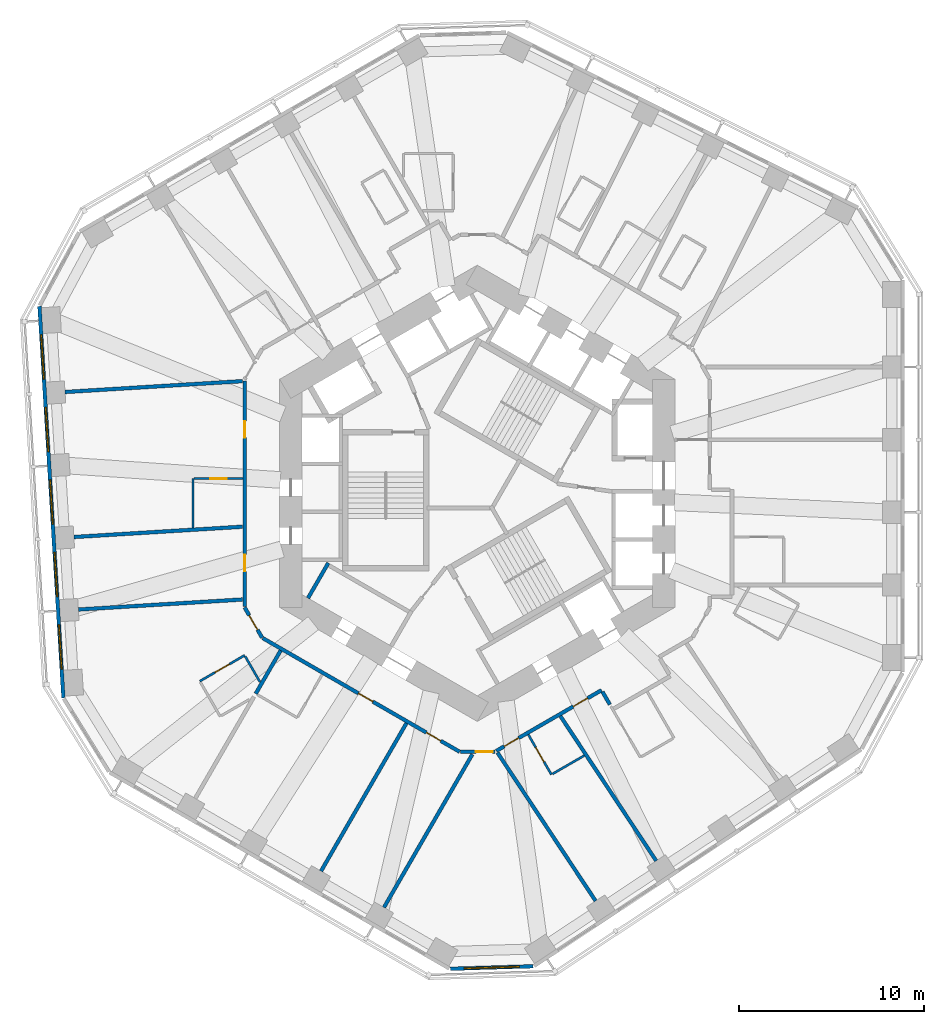
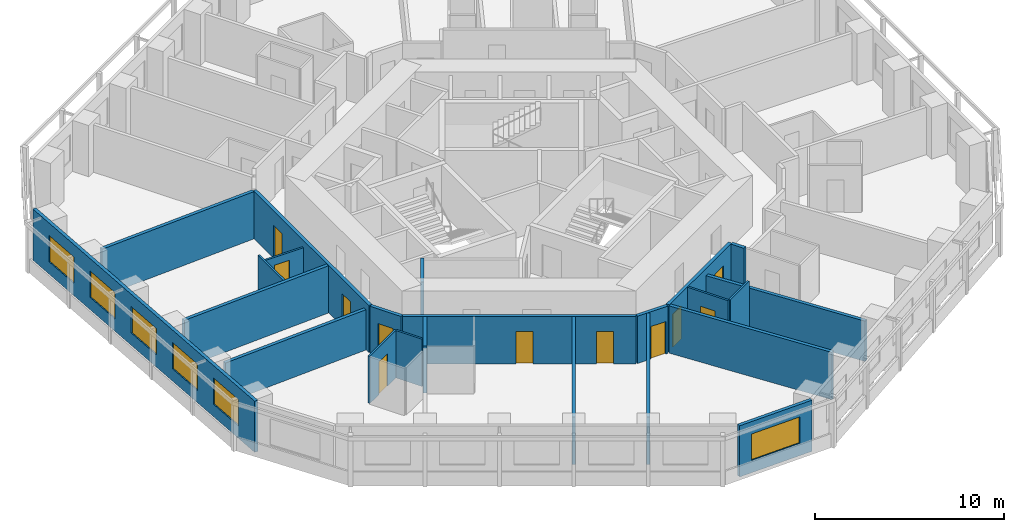
# One storey, part 4 of 12: 23 walls, 11 doors, 6 windows, 17 openings.
"""IFC4 building model written with IfcOpenShell, lengths in metres."""

from ifc_helpers import new_model, si_unit, direction, frame, frame_2d, origin, place, context, subcontext, project, spatial, rectangle, extrude, material, layer, layer_set, type_object, element, fill, save


model = new_model("IFC4")

# Units and contexts
model_context = context("Model", 3, precision=1e-05, world=origin(), true_north=direction((0.0, 1.0)))
body_context = subcontext(model_context, "Body", "Model", "MODEL_VIEW")
ifc_project = project(units=[si_unit("LENGTHUNIT", "METRE"), si_unit("AREAUNIT", "SQUARE_METRE"), si_unit("VOLUMEUNIT", "CUBIC_METRE"), si_unit("PLANEANGLEUNIT", "RADIAN"), si_unit("MASSUNIT", "GRAM", prefix="KILO")], contexts=[model_context])

# Site, building, storey
site_placement = place(None, origin())
site = spatial("IfcSite", under=ifc_project, at=site_placement, CompositionType="ELEMENT")
building_placement = place(site_placement, origin())
building = spatial("IfcBuilding", under=site, at=building_placement, Name="Vanh Sen Convention Tower", CompositionType="ELEMENT")
storey_placement = place(building_placement, frame((0.0, 0.0, 70.39990234375)))
storey = spatial("IfcBuildingStorey", under=building, at=storey_placement, Name="L15", CompositionType="ELEMENT", Elevation=70.39990234375)

# Wall
ifc_material_1 = material(Name="Moisture-resistant gypsum board on steel studs", Category="steel")
ifc_layer_1 = layer(ifc_material_1, 0.1201171875)
ifc_layer_set_1 = layer_set([ifc_layer_1], Name="Moisture-resistant gypsum board on steel studs")
wall_type_1 = type_object("IfcWallType", Name="Bathroom partition 120", PredefinedType="PARTITIONING", material=ifc_layer_set_1)
wall_1_placement = place(storey_placement, frame((-15.39990234375, -1.873779296875, 0.0), z_axis=(0.0, 0.0, 1.0), x_axis=(0.0, 1.0, 0.0)))
element("IfcWall", 1, at=wall_1_placement, inside=storey, type_object=wall_type_1, Name="Bathroom partition 120", PredefinedType="PARTITIONING", context=body_context, shape_type="SweptSolid", body=[
    extrude(rectangle(XDim=2.671142578125, YDim=0.1201171875, at=frame_2d((1.33544921875, 0.0))), origin(), (0.0, 0.0, 1.0), 3.050048828125),
])

# Wall, opening, door
wall_2_placement = place(storey_placement, frame((-15.340087890625, 0.79736328125, 0.0), z_axis=(0.0, 0.0, 1.0), x_axis=(1.0, 0.0, 0.0)))
wall_2 = element("IfcWall", 2, at=wall_2_placement, inside=storey, type_object=wall_type_1, Name="Bathroom partition 120", PredefinedType="PARTITIONING", context=body_context, shape_type="SweptSolid", body=[
    extrude(rectangle(XDim=2.64013671875, YDim=0.1201171875, at=frame_2d((1.320068359375, 0.0))), origin(), (0.0, 0.0, 1.0), 2.60009765625),
])
opening_1_placement = place(wall_2_placement, frame((0.8701171875, 0.0, 0.0)))
opening_1 = element("IfcOpeningElement", 3, at=opening_1_placement, cuts=wall_2, Name="Opening D13120", PredefinedType="OPENING", context=body_context, shape_type="SweptSolid", body=[
    extrude(rectangle(XDim=0.89990234375, YDim=2.10009765625, at=frame_2d((0.449951171875, 1.050048828125))), frame((0.0, 0.070068359375, 0.0), z_axis=(0.0, -1.0, 0.0), x_axis=(1.0, 0.0, 0.0)), (0.0, 0.0, 1.0), 0.14013671875),
])
ifc_material_2 = material(Name="Laminate door in steel frame", Category="steel")
door_type_1 = type_object("IfcDoorType", Name="En-suite door 900", OperationType="SINGLE_SWING_LEFT", PredefinedType="DOOR", material=ifc_material_2)
door_1_placement = place(opening_1_placement, origin())
door_1 = element("IfcDoor", 4, at=door_1_placement, inside=storey, type_object=door_type_1, Name="En-suite door D13120", OperationType="SINGLE_SWING_LEFT", OverallHeight=2.10009765625, OverallWidth=0.89990234375, PredefinedType="DOOR", context=body_context, shape_type="SweptSolid", body=[
    extrude(rectangle(XDim=0.89990234375, YDim=2.10009765625, at=frame_2d((0.449951171875, 1.050048828125))), frame((0.0, 0.02490234375, 0.0), z_axis=(0.0, -1.0, 0.0), x_axis=(1.0, 0.0, 0.0)), (0.0, 0.0, 1.0), 0.050048828125),
])
fill(opening_1, door_1)

wall_3_placement = place(storey_placement, frame((-15.025634765625, -10.17626953125, 0.0), z_axis=(0.0, 0.0, 1.0), x_axis=(0.865996816683, 0.500049511043, 0.0)))
wall_3 = element("IfcWall", 5, at=wall_3_placement, inside=storey, type_object=wall_type_1, Name="Bathroom partition 120", PredefinedType="PARTITIONING", context=body_context, shape_type="SweptSolid", body=[
    extrude(rectangle(XDim=2.800048828125, YDim=0.1201171875, at=frame_2d((1.39990234375, 0.0))), origin(), (0.0, 0.0, 1.0), 3.050048828125),
])
opening_2_placement = place(wall_3_placement, frame((0.949951171875, 0.0, 0.0)))
opening_2 = element("IfcOpeningElement", 6, at=opening_2_placement, cuts=wall_3, Name="Opening D13123", PredefinedType="OPENING", context=body_context, shape_type="SweptSolid", body=[
    extrude(rectangle(XDim=0.89990234375, YDim=2.10009765625, at=frame_2d((0.449951171875, 1.050048828125))), frame((0.0, 0.070068359375, 0.0), z_axis=(0.0, -1.0, 0.0), x_axis=(1.0, 0.0, 0.0)), (0.0, 0.0, 1.0), 0.14013671875),
])
door_2_placement = place(opening_2_placement, origin())
door_2 = element("IfcDoor", 7, at=door_2_placement, inside=storey, type_object=door_type_1, Name="En-suite door D13123", OperationType="SINGLE_SWING_LEFT", OverallHeight=2.10009765625, OverallWidth=0.89990234375, PredefinedType="DOOR", context=body_context, shape_type="SweptSolid", body=[
    extrude(rectangle(XDim=0.89990234375, YDim=2.10009765625, at=frame_2d((0.449951171875, 1.050048828125))), frame((0.0, 0.02490234375, 0.0), z_axis=(0.0, -1.0, 0.0), x_axis=(1.0, 0.0, 0.0)), (0.0, 0.0, 1.0), 0.050048828125),
])
fill(opening_2, door_2)

# Wall
wall_4_placement = place(storey_placement, frame((-12.57080078125, -8.828125, 0.0), z_axis=(0.0, 0.0, 1.0), x_axis=(0.499960029081, -0.866048479775, 0.0)))
element("IfcWall", 8, at=wall_4_placement, inside=storey, type_object=wall_type_1, Name="Bathroom partition 120", PredefinedType="PARTITIONING", context=body_context, shape_type="SweptSolid", body=[
    extrude(rectangle(XDim=1.601318359375, YDim=0.1201171875, at=frame_2d((0.80078125, 0.0))), origin(), (0.0, 0.0, 1.0), 3.050048828125),
])

# Wall, opening, door
wall_5_placement = place(storey_placement, frame((4.01513671875, -15.2333984375, 0.0), z_axis=(0.0, 0.0, 1.0), x_axis=(-0.499961950354, 0.866047370643, 0.0)))
wall_5 = element("IfcWall", 9, at=wall_5_placement, inside=storey, type_object=wall_type_1, Name="Bathroom partition 120", PredefinedType="PARTITIONING", context=body_context, shape_type="SweptSolid", body=[
    extrude(rectangle(XDim=2.500244140625, YDim=0.1201171875, at=frame_2d((1.25, 0.0))), origin(), (0.0, 0.0, 1.0), 3.050048828125),
])
opening_3_placement = place(wall_5_placement, frame((0.800048828125, 0.0, 0.0)))
opening_3 = element("IfcOpeningElement", 10, at=opening_3_placement, cuts=wall_5, Name="Opening D13129", PredefinedType="OPENING", context=body_context, shape_type="SweptSolid", body=[
    extrude(rectangle(XDim=0.89990234375, YDim=2.10009765625, at=frame_2d((0.449951171875, 1.050048828125))), frame((0.0, 0.070068359375, 0.0), z_axis=(0.0, -1.0, 0.0), x_axis=(1.0, 0.0, 0.0)), (0.0, 0.0, 1.0), 0.14013671875),
])
door_3_placement = place(opening_3_placement, origin())
door_3 = element("IfcDoor", 11, at=door_3_placement, inside=storey, type_object=door_type_1, Name="En-suite door D13129", OperationType="SINGLE_SWING_LEFT", OverallHeight=2.10009765625, OverallWidth=0.89990234375, PredefinedType="DOOR", context=body_context, shape_type="SweptSolid", body=[
    extrude(rectangle(XDim=0.89990234375, YDim=2.10009765625, at=frame_2d((0.449951171875, 1.050048828125))), frame((0.0, 0.02490234375, 0.0), z_axis=(0.0, -1.0, 0.0), x_axis=(1.0, 0.0, 0.0)), (0.0, 0.0, 1.0), 0.050048828125),
])
fill(opening_3, door_3)

# Wall
wall_6_placement = place(storey_placement, frame((5.79833984375, -14.20361328125, 0.0), z_axis=(0.0, 0.0, 1.0), x_axis=(-0.865972029493, -0.500092435591, 0.0)))
element("IfcWall", 12, at=wall_6_placement, inside=storey, type_object=wall_type_1, Name="Bathroom partition 120", PredefinedType="PARTITIONING", context=body_context, shape_type="SweptSolid", body=[
    extrude(rectangle(XDim=1.9990234375, YDim=0.1201171875, at=frame_2d((0.99951171875, 0.0))), origin(), (0.0, 0.0, 1.0), 3.050048828125),
])

# Wall, opening, door
ifc_material_3 = material(Name="Gypsum board on steel studs with mineral wool", Category="steel")
ifc_layer_2 = layer(ifc_material_3, 0.199951171875)
ifc_layer_set_2 = layer_set([ifc_layer_2], Name="Gypsum board on steel studs with mineral wool")
wall_type_2 = type_object("IfcWallType", Name="Corridor partition wall 200", PredefinedType="PARTITIONING", material=ifc_layer_set_2)
wall_7_placement = place(storey_placement, frame((-12.60009765625, -6.177490234375, 0.0), z_axis=(0.0, 0.0, 1.0), x_axis=(0.500063520245, -0.865988727248, 0.0)))
wall_7 = element("IfcWall", 13, at=wall_7_placement, inside=storey, type_object=wall_type_2, Name="Corridor partition wall 200", PredefinedType="PARTITIONING", context=body_context, shape_type="SweptSolid", body=[
    extrude(rectangle(XDim=1.900146484375, YDim=0.199951171875, at=frame_2d((0.9501953125, 0.0))), origin(), (0.0, 0.0, 1.0), 3.050048828125),
])
opening_4_placement = place(wall_7_placement, frame((0.5, 0.0, 0.0)))
opening_4 = element("IfcOpeningElement", 14, at=opening_4_placement, cuts=wall_7, Name="Opening D13122", PredefinedType="OPENING", context=body_context, shape_type="SweptSolid", body=[
    extrude(rectangle(XDim=0.89990234375, YDim=2.10009765625, at=frame_2d((0.449951171875, 1.050048828125))), frame((0.0, 0.10986328125, 0.0), z_axis=(0.0, -1.0, 0.0), x_axis=(1.0, 0.0, 0.0)), (0.0, 0.0, 1.0), 0.219970703125),
])
ifc_material_4 = material(Name="Timber fire door in steel frame", Category="steel")
door_type_2 = type_object("IfcDoorType", Name="Guest room door 900", OperationType="SINGLE_SWING_LEFT", PredefinedType="DOOR", material=ifc_material_4)
door_4_placement = place(opening_4_placement, origin())
door_4 = element("IfcDoor", 15, at=door_4_placement, inside=storey, type_object=door_type_2, Name="Hotel guest room door D13122", OperationType="SINGLE_SWING_LEFT", OverallHeight=2.10009765625, OverallWidth=0.89990234375, PredefinedType="DOOR", context=body_context, shape_type="SweptSolid", body=[
    extrude(rectangle(XDim=0.89990234375, YDim=2.10009765625, at=frame_2d((0.449951171875, 1.050048828125))), frame((0.0, 0.02490234375, 0.0), z_axis=(0.0, -1.0, 0.0), x_axis=(1.0, 0.0, 0.0)), (0.0, 0.0, 1.0), 0.050048828125),
])
fill(opening_4, door_4)

# Wall, openings, doors
wall_8_placement = place(storey_placement, frame((-12.60009765625, 6.081298828125, 0.0), z_axis=(0.0, 0.0, 1.0), x_axis=(0.0, -1.0, 0.0)))
wall_8 = element("IfcWall", 16, at=wall_8_placement, inside=storey, type_object=wall_type_2, Name="Corridor partition wall 200", PredefinedType="PARTITIONING", context=body_context, shape_type="SweptSolid", body=[
    extrude(rectangle(XDim=12.218994140625, YDim=0.199951171875, at=frame_2d((6.109375, 0.0))), origin(), (0.0, 0.0, 1.0), 3.050048828125),
])
opening_5_placement = place(wall_8_placement, frame((2.1669921875, 0.0, 0.0)))
opening_5 = element("IfcOpeningElement", 17, at=opening_5_placement, cuts=wall_8, Name="Opening D13119", PredefinedType="OPENING", context=body_context, shape_type="SweptSolid", body=[
    extrude(rectangle(XDim=0.89990234375, YDim=2.10009765625, at=frame_2d((0.449951171875, 1.050048828125))), frame((0.0, 0.10986328125, 0.0), z_axis=(0.0, -1.0, 0.0), x_axis=(1.0, 0.0, 0.0)), (0.0, 0.0, 1.0), 0.219970703125),
])
opening_6_placement = place(wall_8_placement, frame((9.40478515625, 0.0, 0.0)))
opening_6 = element("IfcOpeningElement", 18, at=opening_6_placement, cuts=wall_8, Name="Opening D13121", PredefinedType="OPENING", context=body_context, shape_type="SweptSolid", body=[
    extrude(rectangle(XDim=0.89990234375, YDim=2.10009765625, at=frame_2d((0.449951171875, 1.050048828125))), frame((0.0, 0.10986328125, 0.0), z_axis=(0.0, -1.0, 0.0), x_axis=(1.0, 0.0, 0.0)), (0.0, 0.0, 1.0), 0.219970703125),
])
door_type_3 = type_object("IfcDoorType", Name="Floor service door 900", OperationType="SINGLE_SWING_LEFT", PredefinedType="DOOR", material=ifc_material_4)
door_5_placement = place(opening_6_placement, origin())
door_5 = element("IfcDoor", 19, at=door_5_placement, inside=storey, type_object=door_type_3, Name="Service room door D13121", OperationType="SINGLE_SWING_LEFT", OverallHeight=2.10009765625, OverallWidth=0.89990234375, PredefinedType="DOOR", context=body_context, shape_type="SweptSolid", body=[
    extrude(rectangle(XDim=0.89990234375, YDim=2.10009765625, at=frame_2d((0.449951171875, 1.050048828125))), frame((0.0, 0.02490234375, 0.0), z_axis=(0.0, -1.0, 0.0), x_axis=(1.0, 0.0, 0.0)), (0.0, 0.0, 1.0), 0.050048828125),
])
fill(opening_6, door_5)
door_6_placement = place(opening_5_placement, origin())
door_6 = element("IfcDoor", 20, at=door_6_placement, inside=storey, type_object=door_type_2, Name="Hotel guest room door D13119", OperationType="SINGLE_SWING_LEFT", OverallHeight=2.10009765625, OverallWidth=0.89990234375, PredefinedType="DOOR", context=body_context, shape_type="SweptSolid", body=[
    extrude(rectangle(XDim=0.89990234375, YDim=2.10009765625, at=frame_2d((0.449951171875, 1.050048828125))), frame((0.0, 0.02490234375, 0.0), z_axis=(0.0, -1.0, 0.0), x_axis=(1.0, 0.0, 0.0)), (0.0, 0.0, 1.0), 0.050048828125),
])
fill(opening_5, door_6)

wall_9_placement = place(storey_placement, frame((-11.615478515625, -7.843017578125, 0.0), z_axis=(0.0, 0.0, 1.0), x_axis=(0.866026466995, -0.499998158461, 0.0)))
wall_9 = element("IfcWall", 21, at=wall_9_placement, inside=storey, type_object=wall_type_2, Name="Corridor partition wall 200", PredefinedType="PARTITIONING", context=body_context, shape_type="SweptSolid", body=[
    extrude(rectangle(XDim=12.3154296875, YDim=0.199951171875, at=frame_2d((6.15771484375, 0.0))), origin(), (0.0, 0.0, 1.0), 3.050048828125),
])
opening_7_placement = place(wall_9_placement, frame((5.982666015625, 0.0, 0.0)))
opening_7 = element("IfcOpeningElement", 22, at=opening_7_placement, cuts=wall_9, Name="Opening D13124", PredefinedType="OPENING", context=body_context, shape_type="SweptSolid", body=[
    extrude(rectangle(XDim=0.89990234375, YDim=2.10009765625, at=frame_2d((0.449951171875, 1.050048828125))), frame((0.0, 0.10986328125, 0.0), z_axis=(0.0, -1.0, 0.0), x_axis=(1.0, 0.0, 0.0)), (0.0, 0.0, 1.0), 0.219970703125),
])
opening_8_placement = place(wall_9_placement, frame((10.228759765625, 0.0, 0.0)))
opening_8 = element("IfcOpeningElement", 23, at=opening_8_placement, cuts=wall_9, Name="Opening D13126", PredefinedType="OPENING", context=body_context, shape_type="SweptSolid", body=[
    extrude(rectangle(XDim=0.89990234375, YDim=2.10009765625, at=frame_2d((0.449951171875, 1.050048828125))), frame((0.0, 0.10986328125, 0.0), z_axis=(0.0, -1.0, 0.0), x_axis=(1.0, 0.0, 0.0)), (0.0, 0.0, 1.0), 0.219970703125),
])
door_7_placement = place(opening_8_placement, origin())
door_7 = element("IfcDoor", 24, at=door_7_placement, inside=storey, type_object=door_type_3, Name="Service room door D13126", OperationType="SINGLE_SWING_LEFT", OverallHeight=2.10009765625, OverallWidth=0.89990234375, PredefinedType="DOOR", context=body_context, shape_type="SweptSolid", body=[
    extrude(rectangle(XDim=0.89990234375, YDim=2.10009765625, at=frame_2d((0.449951171875, 1.050048828125))), frame((0.0, 0.02490234375, 0.0), z_axis=(0.0, -1.0, 0.0), x_axis=(1.0, 0.0, 0.0)), (0.0, 0.0, 1.0), 0.050048828125),
])
fill(opening_8, door_7)
door_8_placement = place(opening_7_placement, origin())
door_8 = element("IfcDoor", 25, at=door_8_placement, inside=storey, type_object=door_type_2, Name="Hotel guest room door D13124", OperationType="SINGLE_SWING_LEFT", OverallHeight=2.10009765625, OverallWidth=0.89990234375, PredefinedType="DOOR", context=body_context, shape_type="SweptSolid", body=[
    extrude(rectangle(XDim=0.89990234375, YDim=2.10009765625, at=frame_2d((0.449951171875, 1.050048828125))), frame((0.0, 0.02490234375, 0.0), z_axis=(0.0, -1.0, 0.0), x_axis=(1.0, 0.0, 0.0)), (0.0, 0.0, 1.0), 0.050048828125),
])
fill(opening_7, door_8)

# Wall, opening, door
wall_10_placement = place(storey_placement, frame((-0.909912109375, -14.000732421875, 0.0), z_axis=(0.0, 0.0, 1.0), x_axis=(1.0, 0.0, 0.0)))
wall_10 = element("IfcWall", 26, at=wall_10_placement, inside=storey, type_object=wall_type_2, Name="Corridor partition wall 200", PredefinedType="PARTITIONING", context=body_context, shape_type="SweptSolid", body=[
    extrude(rectangle(XDim=1.85986328125, YDim=0.199951171875, at=frame_2d((0.929931640625, 0.0))), origin(), (0.0, 0.0, 1.0), 3.050048828125),
])
opening_9_placement = place(wall_10_placement, frame((0.841796875, 0.0, 0.0)))
opening_9 = element("IfcOpeningElement", 27, at=opening_9_placement, cuts=wall_10, Name="Opening D13127", PredefinedType="OPENING", context=body_context, shape_type="SweptSolid", body=[
    extrude(rectangle(XDim=0.89990234375, YDim=2.10009765625, at=frame_2d((0.449951171875, 1.050048828125))), frame((0.0, 0.10986328125, 0.0), z_axis=(0.0, -1.0, 0.0), x_axis=(1.0, 0.0, 0.0)), (0.0, 0.0, 1.0), 0.219970703125),
])
door_type_4 = type_object("IfcDoorType", Name="Floor room door 900", OperationType="SINGLE_SWING_LEFT", PredefinedType="DOOR", material=ifc_material_4)
door_9_placement = place(opening_9_placement, origin())
door_9 = element("IfcDoor", 28, at=door_9_placement, inside=storey, type_object=door_type_4, Name="Meeting and amenity room door D13127", OperationType="SINGLE_SWING_LEFT", OverallHeight=2.10009765625, OverallWidth=0.89990234375, PredefinedType="DOOR", context=body_context, shape_type="SweptSolid", body=[
    extrude(rectangle(XDim=0.89990234375, YDim=2.10009765625, at=frame_2d((0.449951171875, 1.050048828125))), frame((0.0, 0.02490234375, 0.0), z_axis=(0.0, -1.0, 0.0), x_axis=(1.0, 0.0, 0.0)), (0.0, 0.0, 1.0), 0.050048828125),
])
fill(opening_9, door_9)

# Wall, openings, doors
wall_11_placement = place(storey_placement, frame((1.033447265625, -13.95263671875, 0.0), z_axis=(0.0, 0.0, 1.0), x_axis=(0.866017531406, 0.500013635111, 0.0)))
wall_11 = element("IfcWall", 29, at=wall_11_placement, inside=storey, type_object=wall_type_2, Name="Corridor partition wall 200", PredefinedType="PARTITIONING", context=body_context, shape_type="SweptSolid", body=[
    extrude(rectangle(XDim=6.580322265625, YDim=0.199951171875, at=frame_2d((3.2900390625, 0.0))), origin(), (0.0, 0.0, 1.0), 3.050048828125),
])
opening_10_placement = place(wall_11_placement, frame((0.495849609375, 0.0, 0.0)))
opening_10 = element("IfcOpeningElement", 30, at=opening_10_placement, cuts=wall_11, Name="Opening D13128", PredefinedType="OPENING", context=body_context, shape_type="SweptSolid", body=[
    extrude(rectangle(XDim=0.89990234375, YDim=2.10009765625, at=frame_2d((0.449951171875, 1.050048828125))), frame((0.0, 0.10986328125, 0.0), z_axis=(0.0, -1.0, 0.0), x_axis=(1.0, 0.0, 0.0)), (0.0, 0.0, 1.0), 0.219970703125),
])
opening_11_placement = place(wall_11_placement, frame((4.81103515625, 0.0, 0.0)))
opening_11 = element("IfcOpeningElement", 31, at=opening_11_placement, cuts=wall_11, Name="Opening D13130", PredefinedType="OPENING", context=body_context, shape_type="SweptSolid", body=[
    extrude(rectangle(XDim=0.89990234375, YDim=2.10009765625, at=frame_2d((0.449951171875, 1.050048828125))), frame((0.0, 0.10986328125, 0.0), z_axis=(0.0, -1.0, 0.0), x_axis=(1.0, 0.0, 0.0)), (0.0, 0.0, 1.0), 0.219970703125),
])
door_10_placement = place(opening_10_placement, origin())
door_10 = element("IfcDoor", 32, at=door_10_placement, inside=storey, type_object=door_type_2, Name="Hotel guest room door D13128", OperationType="SINGLE_SWING_LEFT", OverallHeight=2.10009765625, OverallWidth=0.89990234375, PredefinedType="DOOR", context=body_context, shape_type="SweptSolid", body=[
    extrude(rectangle(XDim=0.89990234375, YDim=2.10009765625, at=frame_2d((0.449951171875, 1.050048828125))), frame((0.0, 0.02490234375, 0.0), z_axis=(0.0, -1.0, 0.0), x_axis=(1.0, 0.0, 0.0)), (0.0, 0.0, 1.0), 0.050048828125),
])
fill(opening_10, door_10)
door_11_placement = place(opening_11_placement, origin())
door_11 = element("IfcDoor", 33, at=door_11_placement, inside=storey, type_object=door_type_2, Name="Hotel guest room door D13130", OperationType="SINGLE_SWING_LEFT", OverallHeight=2.10009765625, OverallWidth=0.89990234375, PredefinedType="DOOR", context=body_context, shape_type="SweptSolid", body=[
    extrude(rectangle(XDim=0.89990234375, YDim=2.10009765625, at=frame_2d((0.449951171875, 1.050048828125))), frame((0.0, 0.02490234375, 0.0), z_axis=(0.0, -1.0, 0.0), x_axis=(1.0, 0.0, 0.0)), (0.0, 0.0, 1.0), 0.050048828125),
])
fill(opening_11, door_11)

# Wall
wall_12_placement = place(storey_placement, frame((6.781982421875, -10.7490234375, 0.0), z_axis=(0.0, 0.0, 1.0), x_axis=(0.500170954823, -0.865926680471, 0.0)))
element("IfcWall", 34, at=wall_12_placement, inside=storey, type_object=wall_type_2, Name="Corridor partition wall 200", PredefinedType="PARTITIONING", context=body_context, shape_type="SweptSolid", body=[
    extrude(rectangle(XDim=0.801025390625, YDim=0.199951171875, at=frame_2d((0.400390625, 0.0))), origin(), (0.0, 0.0, 1.0), 3.050048828125),
])

# Wall, openings, windows
ifc_material_5 = material(Name="Insulated lightweight infill wall")
ifc_layer_3 = layer(ifc_material_5, 0.199951171875)
ifc_layer_set_3 = layer_set([ifc_layer_3], Name="Insulated lightweight infill wall")
wall_type_3 = type_object("IfcWallType", Name="External wall 200", PredefinedType="STANDARD", material=ifc_layer_set_3)
wall_13_placement = place(storey_placement, frame((-23.712646484375, 10.130859375, 0.0), z_axis=(0.0, 0.0, 1.0), x_axis=(0.061040439785, -0.998135293791, 0.0)))
wall_13 = element("IfcWall", 35, at=wall_13_placement, inside=storey, type_object=wall_type_3, Name="External wall W L15", PredefinedType="STANDARD", context=body_context, shape_type="SweptSolid", body=[
    extrude(rectangle(XDim=21.24609375, YDim=0.199951171875, at=frame_2d((10.623046875, 0.0))), origin(), (0.0, 0.0, 1.0), 3.300048828125),
])
opening_12_placement = place(wall_13_placement, frame((1.552978515625, 0.0, 0.800048828125)))
opening_12 = element("IfcOpeningElement", 36, at=opening_12_placement, cuts=wall_13, Name="Opening WH1-W1", PredefinedType="OPENING", context=body_context, shape_type="SweptSolid", body=[
    extrude(rectangle(XDim=2.39990234375, YDim=1.699951171875, at=frame_2d((1.199951171875, 0.85009765625))), frame((0.0, 0.10986328125, 0.0), z_axis=(0.0, -1.0, 0.0), x_axis=(1.0, 0.0, 0.0)), (0.0, 0.0, 1.0), 0.219970703125),
])
opening_13_placement = place(wall_13_placement, frame((5.48779296875, 0.0, 0.800048828125)))
opening_13 = element("IfcOpeningElement", 37, at=opening_13_placement, cuts=wall_13, Name="Opening WH1-W2", PredefinedType="OPENING", context=body_context, shape_type="SweptSolid", body=[
    extrude(rectangle(XDim=2.39990234375, YDim=1.699951171875, at=frame_2d((1.199951171875, 0.85009765625))), frame((0.0, 0.10986328125, 0.0), z_axis=(0.0, -1.0, 0.0), x_axis=(1.0, 0.0, 0.0)), (0.0, 0.0, 1.0), 0.219970703125),
])
opening_14_placement = place(wall_13_placement, frame((9.42236328125, 0.0, 0.800048828125)))
opening_14 = element("IfcOpeningElement", 38, at=opening_14_placement, cuts=wall_13, Name="Opening WH1-W3", PredefinedType="OPENING", context=body_context, shape_type="SweptSolid", body=[
    extrude(rectangle(XDim=2.39990234375, YDim=1.699951171875, at=frame_2d((1.199951171875, 0.85009765625))), frame((0.0, 0.10986328125, 0.0), z_axis=(0.0, -1.0, 0.0), x_axis=(1.0, 0.0, 0.0)), (0.0, 0.0, 1.0), 0.219970703125),
])
opening_15_placement = place(wall_13_placement, frame((13.35693359375, 0.0, 0.800048828125)))
opening_15 = element("IfcOpeningElement", 39, at=opening_15_placement, cuts=wall_13, Name="Opening WH1-W4", PredefinedType="OPENING", context=body_context, shape_type="SweptSolid", body=[
    extrude(rectangle(XDim=2.39990234375, YDim=1.699951171875, at=frame_2d((1.199951171875, 0.85009765625))), frame((0.0, 0.10986328125, 0.0), z_axis=(0.0, -1.0, 0.0), x_axis=(1.0, 0.0, 0.0)), (0.0, 0.0, 1.0), 0.219970703125),
])
opening_16_placement = place(wall_13_placement, frame((17.29150390625, 0.0, 0.800048828125)))
opening_16 = element("IfcOpeningElement", 40, at=opening_16_placement, cuts=wall_13, Name="Opening WH1-W5", PredefinedType="OPENING", context=body_context, shape_type="SweptSolid", body=[
    extrude(rectangle(XDim=2.39990234375, YDim=1.699951171875, at=frame_2d((1.199951171875, 0.85009765625))), frame((0.0, 0.10986328125, 0.0), z_axis=(0.0, -1.0, 0.0), x_axis=(1.0, 0.0, 0.0)), (0.0, 0.0, 1.0), 0.219970703125),
])
ifc_material_6 = material(Name="Aluminium frame with clear low-emissivity glass", Category="aluminium")
window_type_1 = type_object("IfcWindowType", Name="Hotel window 2400 x 1700", PartitioningType="SINGLE_PANEL", PredefinedType="WINDOW", material=ifc_material_6)
window_1_placement = place(opening_12_placement, origin())
window_1 = element("IfcWindow", 41, at=window_1_placement, inside=storey, type_object=window_type_1, Name="Window WH1-W1", OverallHeight=1.699951171875, OverallWidth=2.39990234375, PartitioningType="SINGLE_PANEL", PredefinedType="WINDOW", context=body_context, shape_type="SweptSolid", body=[
    extrude(rectangle(XDim=2.39990234375, YDim=1.699951171875, at=frame_2d((1.199951171875, 0.85009765625))), frame((0.0, 0.030029296875, 0.0), z_axis=(0.0, -1.0, 0.0), x_axis=(1.0, 0.0, 0.0)), (0.0, 0.0, 1.0), 0.06005859375),
])
fill(opening_12, window_1)
window_2_placement = place(opening_13_placement, origin())
window_2 = element("IfcWindow", 42, at=window_2_placement, inside=storey, type_object=window_type_1, Name="Window WH1-W2", OverallHeight=1.699951171875, OverallWidth=2.39990234375, PartitioningType="SINGLE_PANEL", PredefinedType="WINDOW", context=body_context, shape_type="SweptSolid", body=[
    extrude(rectangle(XDim=2.39990234375, YDim=1.699951171875, at=frame_2d((1.199951171875, 0.85009765625))), frame((0.0, 0.030029296875, 0.0), z_axis=(0.0, -1.0, 0.0), x_axis=(1.0, 0.0, 0.0)), (0.0, 0.0, 1.0), 0.06005859375),
])
fill(opening_13, window_2)
window_3_placement = place(opening_14_placement, origin())
window_3 = element("IfcWindow", 43, at=window_3_placement, inside=storey, type_object=window_type_1, Name="Window WH1-W3", OverallHeight=1.699951171875, OverallWidth=2.39990234375, PartitioningType="SINGLE_PANEL", PredefinedType="WINDOW", context=body_context, shape_type="SweptSolid", body=[
    extrude(rectangle(XDim=2.39990234375, YDim=1.699951171875, at=frame_2d((1.199951171875, 0.85009765625))), frame((0.0, 0.030029296875, 0.0), z_axis=(0.0, -1.0, 0.0), x_axis=(1.0, 0.0, 0.0)), (0.0, 0.0, 1.0), 0.06005859375),
])
fill(opening_14, window_3)
window_4_placement = place(opening_15_placement, origin())
window_4 = element("IfcWindow", 44, at=window_4_placement, inside=storey, type_object=window_type_1, Name="Window WH1-W4", OverallHeight=1.699951171875, OverallWidth=2.39990234375, PartitioningType="SINGLE_PANEL", PredefinedType="WINDOW", context=body_context, shape_type="SweptSolid", body=[
    extrude(rectangle(XDim=2.39990234375, YDim=1.699951171875, at=frame_2d((1.199951171875, 0.85009765625))), frame((0.0, 0.030029296875, 0.0), z_axis=(0.0, -1.0, 0.0), x_axis=(1.0, 0.0, 0.0)), (0.0, 0.0, 1.0), 0.06005859375),
])
fill(opening_15, window_4)
window_5_placement = place(opening_16_placement, origin())
window_5 = element("IfcWindow", 45, at=window_5_placement, inside=storey, type_object=window_type_1, Name="Window WH1-W5", OverallHeight=1.699951171875, OverallWidth=2.39990234375, PartitioningType="SINGLE_PANEL", PredefinedType="WINDOW", context=body_context, shape_type="SweptSolid", body=[
    extrude(rectangle(XDim=2.39990234375, YDim=1.699951171875, at=frame_2d((1.199951171875, 0.85009765625))), frame((0.0, 0.030029296875, 0.0), z_axis=(0.0, -1.0, 0.0), x_axis=(1.0, 0.0, 0.0)), (0.0, 0.0, 1.0), 0.06005859375),
])
fill(opening_16, window_5)

# Wall, opening, window
wall_14_placement = place(storey_placement, frame((-1.461181640625, -25.7548828125, 0.0), z_axis=(0.0, 0.0, 1.0), x_axis=(0.999533823446, 0.030530898895, 0.0)))
wall_14 = element("IfcWall", 46, at=wall_14_placement, inside=storey, type_object=wall_type_3, Name="External wall CH5 L15", PredefinedType="STANDARD", context=body_context, shape_type="SweptSolid", body=[
    extrude(rectangle(XDim=4.494140625, YDim=0.199951171875, at=frame_2d((2.2470703125, 0.0))), origin(), (0.0, 0.0, 1.0), 3.300048828125),
])
opening_17_placement = place(wall_14_placement, frame((0.7470703125, 0.0, 0.800048828125)))
opening_17 = element("IfcOpeningElement", 47, at=opening_17_placement, cuts=wall_14, Name="Opening WH2-CH51", PredefinedType="OPENING", context=body_context, shape_type="SweptSolid", body=[
    extrude(rectangle(XDim=3.0, YDim=1.699951171875, at=frame_2d((1.5, 0.85009765625))), frame((0.0, 0.10986328125, 0.0), z_axis=(0.0, -1.0, 0.0), x_axis=(1.0, 0.0, 0.0)), (0.0, 0.0, 1.0), 0.219970703125),
])
window_type_2 = type_object("IfcWindowType", Name="Hotel window 3000 x 1700", PartitioningType="SINGLE_PANEL", PredefinedType="WINDOW", material=ifc_material_6)
window_6_placement = place(opening_17_placement, origin())
window_6 = element("IfcWindow", 48, at=window_6_placement, inside=storey, type_object=window_type_2, Name="Window WH2-CH51", OverallHeight=1.699951171875, OverallWidth=3.0, PartitioningType="SINGLE_PANEL", PredefinedType="WINDOW", context=body_context, shape_type="SweptSolid", body=[
    extrude(rectangle(XDim=3.0, YDim=1.699951171875, at=frame_2d((1.5, 0.85009765625))), frame((0.0, 0.030029296875, 0.0), z_axis=(0.0, -1.0, 0.0), x_axis=(1.0, 0.0, 0.0)), (0.0, 0.0, 1.0), 0.06005859375),
])
fill(opening_17, window_6)

# Walls
ifc_layer_4 = layer(ifc_material_3, 0.199951171875)
ifc_layer_set_4 = layer_set([ifc_layer_4], Name="Gypsum board on steel studs with mineral wool")
wall_type_4 = type_object("IfcWallType", Name="Hotel party wall 200", PredefinedType="PARTITIONING", material=ifc_layer_set_4)
wall_15_placement = place(storey_placement, frame((-22.32666015625, 5.486328125, 0.0), z_axis=(0.0, 0.0, 1.0), x_axis=(0.998135194863, 0.061042057435, 0.0)))
element("IfcWall", 49, at=wall_15_placement, inside=storey, type_object=wall_type_4, Name="Hotel party wall 200", PredefinedType="PARTITIONING", context=body_context, shape_type="SweptSolid", body=[
    extrude(rectangle(XDim=9.635009765625, YDim=0.199951171875, at=frame_2d((4.8173828125, 0.0))), origin(), (0.0, 0.0, 1.0), 3.050048828125),
])
wall_16_placement = place(storey_placement, frame((-21.84619140625, -2.3681640625, 0.0), z_axis=(0.0, 0.0, 1.0), x_axis=(0.998134617584, 0.061051496129, 0.0)))
element("IfcWall", 50, at=wall_16_placement, inside=storey, type_object=wall_type_4, Name="Hotel party wall 200", PredefinedType="PARTITIONING", context=body_context, shape_type="SweptSolid", body=[
    extrude(rectangle(XDim=9.153564453125, YDim=0.199951171875, at=frame_2d((4.57666015625, 0.0))), origin(), (0.0, 0.0, 1.0), 3.050048828125),
])
wall_17_placement = place(storey_placement, frame((-21.60595703125, -6.29541015625, 0.0), z_axis=(0.0, 0.0, 1.0), x_axis=(0.998134305525, 0.061056597794, 0.0)))
element("IfcWall", 51, at=wall_17_placement, inside=storey, type_object=wall_type_4, Name="Hotel party wall 200", PredefinedType="PARTITIONING", context=body_context, shape_type="SweptSolid", body=[
    extrude(rectangle(XDim=8.912841796875, YDim=0.199951171875, at=frame_2d((4.45654296875, 0.0))), origin(), (0.0, 0.0, 1.0), 2.60009765625),
])
wall_18_placement = place(storey_placement, frame((-11.99951171875, -10.8544921875, 0.0), z_axis=(0.0, 0.0, 1.0), x_axis=(0.50000943426, 0.866019956843, 0.0)))
element("IfcWall", 52, at=wall_18_placement, inside=storey, type_object=wall_type_4, Name="Hotel party wall 200", PredefinedType="PARTITIONING", context=body_context, shape_type="SweptSolid", body=[
    extrude(rectangle(XDim=2.7001953125, YDim=0.199951171875, at=frame_2d((1.35009765625, 0.0))), origin(), (0.0, 0.0, 1.0), 3.050048828125),
])
wall_19_placement = place(storey_placement, frame((-8.459716796875, -20.46142578125, 0.0), z_axis=(0.0, 0.0, 1.0), x_axis=(0.499999662836, 0.866025598446, 0.0)))
element("IfcWall", 53, at=wall_19_placement, inside=storey, type_object=wall_type_4, Name="Hotel party wall 200", PredefinedType="PARTITIONING", context=body_context, shape_type="SweptSolid", body=[
    extrude(rectangle(XDim=9.25, YDim=0.199951171875, at=frame_2d((4.625, 0.0))), origin(), (0.0, 0.0, 1.0), 3.050048828125),
])
wall_20_placement = place(storey_placement, frame((-5.052001953125, -22.4287109375, 0.0), z_axis=(0.0, 0.0, 1.0), x_axis=(0.500004329283, 0.866022904257, 0.0)))
element("IfcWall", 54, at=wall_20_placement, inside=storey, type_object=wall_type_4, Name="Hotel party wall 200", PredefinedType="PARTITIONING", context=body_context, shape_type="SweptSolid", body=[
    extrude(rectangle(XDim=9.57177734375, YDim=0.199951171875, at=frame_2d((4.785888671875, 0.0))), origin(), (0.0, 0.0, 1.0), 3.050048828125),
])
wall_21_placement = place(storey_placement, frame((6.411865234375, -22.07861328125, 0.0), z_axis=(0.0, 0.0, 1.0), x_axis=(-0.551919507115, 0.83389739037, 0.0)))
element("IfcWall", 55, at=wall_21_placement, inside=storey, type_object=wall_type_4, Name="Hotel party wall 200", PredefinedType="PARTITIONING", context=body_context, shape_type="SweptSolid", body=[
    extrude(rectangle(XDim=9.634765625, YDim=0.199951171875, at=frame_2d((4.8173828125, 0.0))), origin(), (0.0, 0.0, 1.0), 3.050048828125),
])
wall_22_placement = place(storey_placement, frame((9.69287109375, -19.906982421875, 0.0), z_axis=(0.0, 0.0, 1.0), x_axis=(-0.551938394837, 0.833884889121, 0.0)))
element("IfcWall", 56, at=wall_22_placement, inside=storey, type_object=wall_type_4, Name="Hotel party wall 200", PredefinedType="PARTITIONING", context=body_context, shape_type="SweptSolid", body=[
    extrude(rectangle(XDim=9.394287109375, YDim=0.199951171875, at=frame_2d((4.697265625, 0.0))), origin(), (0.0, 0.0, 1.0), 2.60009765625),
])
ifc_material_7 = material(Name="Concrete C40/50", Category="concrete")
ifc_layer_5 = layer(ifc_material_7, 0.199951171875)
ifc_layer_set_5 = layer_set([ifc_layer_5], Name="Concrete C40/50")
wall_type_5 = type_object("IfcWallType", Name="Lift shaft wall 200", PredefinedType="PARTITIONING", material=ifc_layer_set_5)
wall_23_placement = place(storey_placement, frame((-8.066650390625, -3.77197265625, 0.0), z_axis=(0.0, 0.0, 1.0), x_axis=(-0.50002983664, -0.866008176907, 0.0)))
element("IfcWall", 57, at=wall_23_placement, inside=storey, type_object=wall_type_5, Name="Lift shaft wall L15", PredefinedType="PARTITIONING", context=body_context, shape_type="SweptSolid", body=[
    extrude(rectangle(XDim=2.199951171875, YDim=0.199951171875, at=frame_2d((1.10009765625, 0.0))), origin(), (0.0, 0.0, 1.0), 3.050048828125),
])

save(model, "model.ifc")
